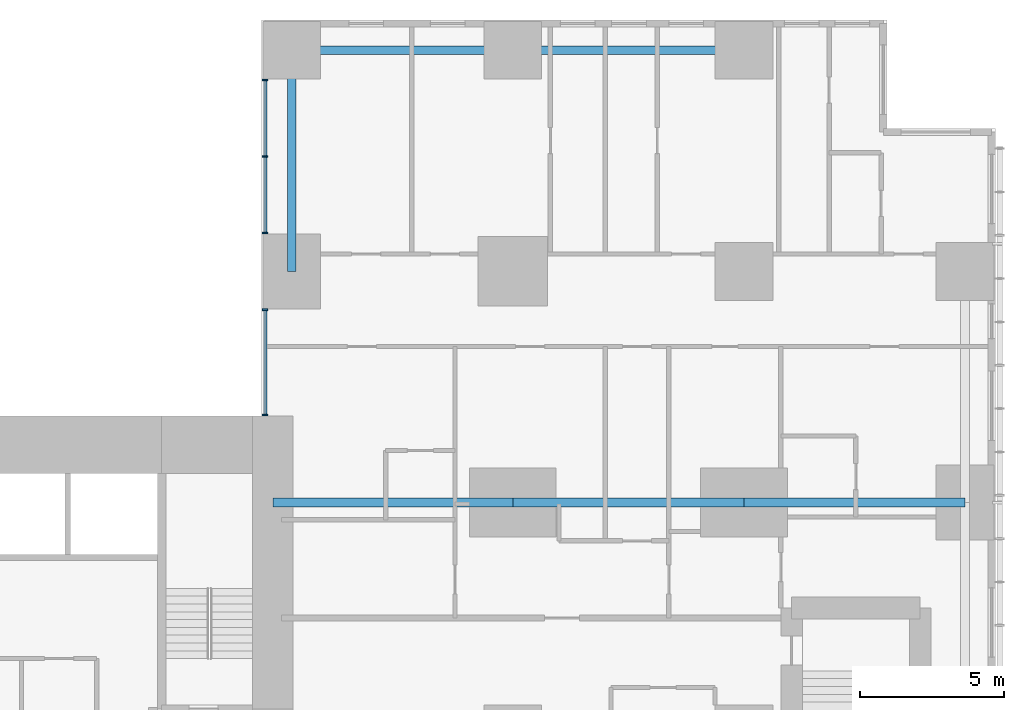
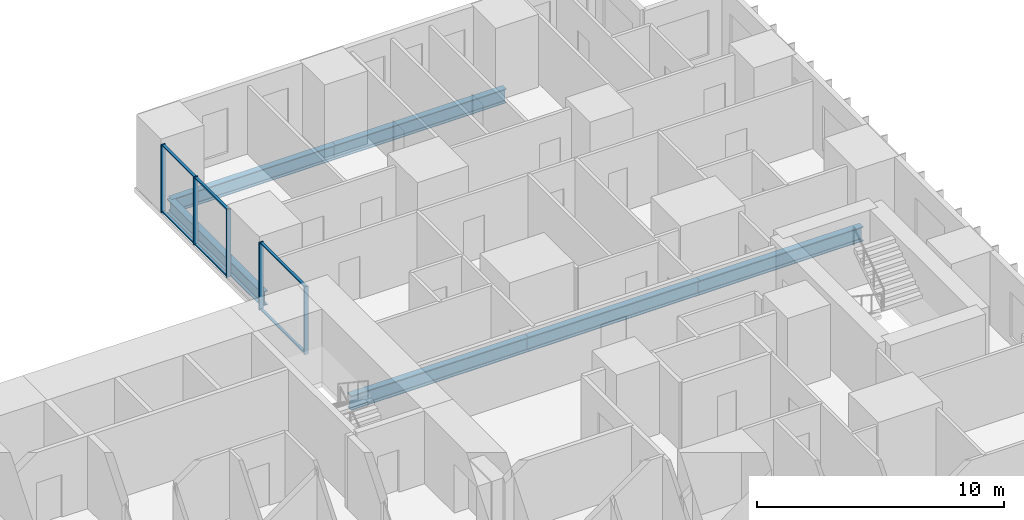
# One storey, part 5 of 21: 11 members, 6 beams, 2 elements without a shape of their own.
"""IFC4 building model written with IfcOpenShell, lengths in metres."""

import ifcopenshell
import ifcopenshell.guid

model = None  # the IFC model being written
_history = None  # IfcOwnerHistory: only IFC2X3 demands one
_inside = {}  # id of a spatial element -> (the spatial element, [elements in it])
_under = {}  # id of a project, library or spatial element -> (it, [spatial elements below it])
_declared = {}  # id of a project -> (the project, [libraries it declares])
_typed = {}  # id of a type object -> (the type object, [elements of that type])
_made_of = {}  # id of a material, layer set ... -> (it, [elements and type objects made of it])


def new_model(schema):
    """Start an empty IFC model of exactly this schema.

    Asked for "IFC4X3", IfcOpenShell would pick the latest addendum, in which some entities
    have other attributes; the version numbers below select the first issue.
    IFC2X3 requires an IfcOwnerHistory on every rooted entity: one is made here for all.
    """
    global model, _history
    if schema == "IFC4X3":
        model = ifcopenshell.file(schema_version=(4, 3, 0, 0))
    else:
        model = ifcopenshell.file(schema=schema)
    _inside.clear()
    _under.clear()
    _declared.clear()
    _typed.clear()
    _made_of.clear()
    _history = None
    if model.schema == "IFC2X3":
        org = make("IfcOrganization", Name="unknown")
        user = make(
            "IfcPersonAndOrganization",
            ThePerson=make("IfcPerson", FamilyName="unknown"),
            TheOrganization=org,
        )
        app = make(
            "IfcApplication",
            ApplicationDeveloper=org,
            Version="unknown",
            ApplicationFullName="unknown",
            ApplicationIdentifier="unknown",
        )
        _history = make(
            "IfcOwnerHistory",
            OwningUser=user,
            OwningApplication=app,
            ChangeAction="ADDED",
            CreationDate=0,
        )
    return model


def make(cls, **values):
    """One entity of the class cls with the attributes given. An attribute that is None is left unset."""
    return model.create_entity(
        cls, **{name: value for name, value in values.items() if value is not None}
    )


def rooted(cls, **values):
    """An entity with a GlobalId (a new one), such as an element, a storey or a relation."""
    return make(cls, GlobalId=ifcopenshell.guid.new(), OwnerHistory=_history, **values)


def si_unit(unit_type, name, prefix=None):
    """IfcSIUnit, for example si_unit("LENGTHUNIT", "METRE", prefix="MILLI")."""
    return make("IfcSIUnit", UnitType=unit_type, Prefix=prefix, Name=name)


def assignment(units):
    """IfcUnitAssignment: the units of a project."""
    return None if units is None else make("IfcUnitAssignment", Units=units)


def point(xyz):
    """IfcCartesianPoint."""
    return None if xyz is None else make("IfcCartesianPoint", Coordinates=xyz)


def direction(xyz):
    """IfcDirection."""
    return None if xyz is None else make("IfcDirection", DirectionRatios=xyz)


def frame(location, z_axis=None, x_axis=None):
    """IfcAxis2Placement3D, a coordinate frame: its origin and axes. An axis left out is left unset."""
    return make(
        "IfcAxis2Placement3D",
        Location=point(location),
        Axis=direction(z_axis),
        RefDirection=direction(x_axis),
    )


def frame_2d(location, x_axis=None):
    """IfcAxis2Placement2D, a coordinate frame in the plane: its origin and x axis."""
    return make(
        "IfcAxis2Placement2D", Location=point(location), RefDirection=direction(x_axis)
    )


def origin():
    """The frame at (0, 0, 0) with its axes left unset."""
    return frame((0.0, 0.0, 0.0))


def origin_2d():
    """The frame at (0, 0) in the plane with its x axis left unset."""
    return frame_2d((0.0, 0.0))


def place(relative_to, where):
    """IfcLocalPlacement: puts the frame where relative to a parent placement (None: the world)."""
    return make(
        "IfcLocalPlacement", PlacementRelTo=relative_to, RelativePlacement=where
    )


def context(
    kind, dimensions, precision=None, world=None, true_north=None, identifier=None
):
    """IfcGeometricRepresentationContext, for example the 3D "Model" context."""
    return make(
        "IfcGeometricRepresentationContext",
        ContextIdentifier=identifier,
        ContextType=kind,
        CoordinateSpaceDimension=dimensions,
        Precision=precision,
        WorldCoordinateSystem=world,
        TrueNorth=true_north,
    )


def subcontext(parent, identifier, kind, view, scale=None):
    """IfcGeometricRepresentationSubContext, for example "Body" below "Model"."""
    return make(
        "IfcGeometricRepresentationSubContext",
        ContextIdentifier=identifier,
        ContextType=kind,
        ParentContext=parent,
        TargetScale=scale,
        TargetView=view,
    )


def project(units=None, contexts=None):
    """IfcProject with its units and contexts."""
    return rooted(
        "IfcProject",
        Name="project",
        RepresentationContexts=contexts,
        UnitsInContext=assignment(units),
    )


def spatial(cls, under=None, at=None, **own):
    """A site, building, storey or space (cls), placed at a placement, below another one or the project."""
    s = rooted(cls, ObjectPlacement=at, **own)
    if under is not None:
        _under.setdefault(under.id(), (under, []))[1].append(s)
    return s


def profile(cls, at=None, kind="AREA", **sizes):
    """A parametric profile (cls). Its sizes go by their IFC names, for example OverallWidth=200.0."""
    return make(cls, ProfileType=kind, Position=at, **sizes)


def rectangle(**sizes):
    """IfcRectangleProfileDef."""
    return profile("IfcRectangleProfileDef", **sizes)


def i_section(**sizes):
    """IfcIShapeProfileDef."""
    return profile("IfcIShapeProfileDef", **sizes)


def extrude(swept, where, along, depth):
    """IfcExtrudedAreaSolid: the profile swept, set in the frame where, extruded along a direction by depth."""
    return make(
        "IfcExtrudedAreaSolid",
        SweptArea=swept,
        Position=where,
        ExtrudedDirection=direction(along),
        Depth=depth,
    )


def shape(context_of_items, identifier, shape_type, items):
    """IfcShapeRepresentation: the items that make up one representation, for example the "Body"."""
    return make(
        "IfcShapeRepresentation",
        ContextOfItems=context_of_items,
        RepresentationIdentifier=identifier,
        RepresentationType=shape_type,
        Items=items,
    )


def material(Name=None, Category=None):
    """IfcMaterial."""
    return make("IfcMaterial", Name=Name, Category=Category)


def layer(
    of_material, thickness, ventilated=None, Name=None, Category=None, Priority=None
):
    """IfcMaterialLayer: one layer of a wall or slab, of a material (None: an air gap)."""
    return make(
        "IfcMaterialLayer",
        Material=of_material,
        LayerThickness=thickness,
        IsVentilated=ventilated,
        Name=Name,
        Category=Category,
        Priority=Priority,
    )


def layer_set(layers, Name=None):
    """IfcMaterialLayerSet."""
    return make("IfcMaterialLayerSet", MaterialLayers=layers, LayerSetName=Name)


def material_profile(
    of_material, cross_section, Name=None, Category=None, Priority=None
):
    """IfcMaterialProfile: a cross section and its material."""
    return make(
        "IfcMaterialProfile",
        Name=Name,
        Material=of_material,
        Profile=cross_section,
        Priority=Priority,
        Category=Category,
    )


def profile_set(profiles, Name=None, composite=None):
    """IfcMaterialProfileSet."""
    return make(
        "IfcMaterialProfileSet",
        Name=Name,
        MaterialProfiles=profiles,
        CompositeProfile=composite,
    )


def made_of(thing, what):
    """Note that an element or type object is made of a material, layer set ...; save() writes the relation."""
    if what is not None:
        _made_of.setdefault(what.id(), (what, []))[1].append(thing)
    return thing


def type_object(cls, material=None, **own):
    """A type object (cls), such as IfcWallType, which elements share."""
    return made_of(rooted(cls, **own), material)


def element(
    cls,
    number,
    at=None,
    inside=None,
    cuts=None,
    type_object=None,
    material=None,
    context=None,
    identifier="Body",
    shape_type=None,
    held_by="IfcProductDefinitionShape",
    body=None,
    shapes=None,
    **own,
):
    """One element of the class cls, such as IfcWall. Its Tag is "e" and its number.

    at: its placement. inside: the storey or other place that contains it. cuts: it is an
    opening in that element (IfcRelVoidsElement). A single representation is given by context,
    identifier, shape_type and body (its items); several are given by shapes. held_by: the class
    of the entity that holds the representations. save() writes the other relations.
    """
    e = rooted(cls, Tag="e%d" % number, ObjectPlacement=at, **own)
    if body is not None:
        shapes = [shape(context, identifier, shape_type, body)]
    if shapes is not None:
        e.Representation = make(held_by, Representations=shapes)
    if inside is not None:
        _inside.setdefault(inside.id(), (inside, []))[1].append(e)
    if cuts is not None:
        rooted(
            "IfcRelVoidsElement", RelatingBuildingElement=cuts, RelatedOpeningElement=e
        )
    if type_object is not None:
        _typed.setdefault(type_object.id(), (type_object, []))[1].append(e)
    return made_of(e, material)


def aggregate(whole, parts):
    """IfcRelAggregates: a whole, such as a stair, and the parts it consists of."""
    return rooted("IfcRelAggregates", RelatingObject=whole, RelatedObjects=parts)


def save(model, path):
    """Write the relations noted so far, then the file.

    IfcRelAggregates (storeys below a building ...), IfcRelContainedInSpatialStructure (elements
    in a storey), IfcRelDefinesByType, IfcRelAssociatesMaterial and IfcRelDeclares: one each for
    every whole, place, type object, material and project.
    """
    for whole, parts in _under.values():
        aggregate(whole, parts)
    for where, things in _inside.values():
        rooted(
            "IfcRelContainedInSpatialStructure",
            RelatedElements=things,
            RelatingStructure=where,
        )
    for kind, things in _typed.values():
        rooted("IfcRelDefinesByType", RelatedObjects=things, RelatingType=kind)
    for what, things in _made_of.values():
        rooted("IfcRelAssociatesMaterial", RelatedObjects=things, RelatingMaterial=what)
    for by, libraries in _declared.values():
        rooted("IfcRelDeclares", RelatingContext=by, RelatedDefinitions=libraries)
    model.write(path)


model = new_model("IFC4")

# Units and contexts
model_context = context("Model", 3, precision=1e-05, world=origin(), true_north=direction((0.0, 1.0)))
body_context = subcontext(model_context, "Body", "Model", "MODEL_VIEW")
ifc_project = project(units=[si_unit("LENGTHUNIT", "METRE"), si_unit("AREAUNIT", "SQUARE_METRE"), si_unit("VOLUMEUNIT", "CUBIC_METRE"), si_unit("PLANEANGLEUNIT", "RADIAN"), si_unit("MASSUNIT", "GRAM", prefix="KILO")], contexts=[model_context])

# Site, building, storey
site_placement = place(None, origin())
site = spatial("IfcSite", under=ifc_project, at=site_placement, CompositionType="ELEMENT")
building_placement = place(site_placement, origin())
building = spatial("IfcBuilding", under=site, at=building_placement, Name="Cleftline Residences", CompositionType="ELEMENT")
storey_placement = place(building_placement, frame((0.0, 0.0, 161.0)))
storey = spatial("IfcBuildingStorey", under=building, at=storey_placement, Name="L42", CompositionType="ELEMENT", Elevation=161.0)

# Beams
ifc_material_1 = material(Name="Steel S355", Category="steel")
ifc_material_profile_1 = material_profile(ifc_material_1, i_section(OverallWidth=0.300048828125, OverallDepth=0.699951171875, WebThickness=0.01708984375, FlangeThickness=0.031982421875, FilletRadius=0.027099609375, at=origin_2d()))
ifc_profile_set_1 = profile_set([ifc_material_profile_1], Name="Steel S355")
beam_type_1 = type_object("IfcBeamType", Name="BEAM HEB 700", PredefinedType="BEAM", material=ifc_profile_set_1)
beam_1_placement = place(storey_placement, frame((58.0, 47.64990234375, -0.60009765625), z_axis=(-1.0, 0.0, 0.0), x_axis=(0.0, -1.0, 0.0)))
element("IfcBeam", 1, at=beam_1_placement, inside=storey, type_object=beam_type_1, Name="Edge beam", PredefinedType="BEAM", context=body_context, shape_type="SweptSolid", body=[
    extrude(i_section(OverallWidth=0.300048828125, OverallDepth=0.699951171875, WebThickness=0.01708984375, FlangeThickness=0.031982421875, FilletRadius=0.027099609375, at=origin_2d()), origin(), (0.0, 0.0, 1.0), 8.0),
])
for number, where, z_axis, x_axis, name in (
    (2, (50.0, 47.64990234375, -0.60009765625), (-1.0, 0.0, 0.0), (0.0, -1.0, 0.0), "Edge beam"),
    (3, (42.35009765625, 47.64990234375, -0.60009765625), (0.0, -1.0, 0.0), (1.0, 0.0, 0.0), "Edge beam"),
):
    element("IfcBeam", number, at=place(storey_placement, frame(where, z_axis=z_axis, x_axis=x_axis)), inside=storey, type_object=beam_type_1, Name=name, PredefinedType="BEAM", context=body_context, shape_type="SweptSolid", body=[
        extrude(i_section(OverallWidth=0.300048828125, OverallDepth=0.699951171875, WebThickness=0.01708984375, FlangeThickness=0.031982421875, FilletRadius=0.027099609375, at=origin_2d()), origin(), (0.0, 0.0, 1.0), 7.64990234375),
    ])
ifc_material_2 = material(Name="Steel S355", Category="steel")
ifc_material_profile_2 = material_profile(ifc_material_2, i_section(OverallWidth=0.303955078125, OverallDepth=0.716064453125, WebThickness=0.02099609375, FlangeThickness=0.0400390625, FilletRadius=0.027099609375, at=origin_2d()))
ifc_profile_set_2 = profile_set([ifc_material_profile_2], Name="Steel S355")
beam_type_2 = type_object("IfcBeamType", Name="BEAM HEM 700", PredefinedType="BEAM", material=ifc_profile_set_2)
beam_2_placement = place(storey_placement, frame((65.64990234375, 32.0, -0.60791015625), z_axis=(-1.0, 0.0, 0.0), x_axis=(0.0, -1.0, 0.0)))
element("IfcBeam", 4, at=beam_2_placement, inside=storey, type_object=beam_type_2, Name="Band beam", PredefinedType="BEAM", context=body_context, shape_type="SweptSolid", body=[
    extrude(i_section(OverallWidth=0.303955078125, OverallDepth=0.716064453125, WebThickness=0.02099609375, FlangeThickness=0.0400390625, FilletRadius=0.027099609375, at=origin_2d()), origin(), (0.0, 0.0, 1.0), 7.64990234375),
])
beam_3_placement = place(storey_placement, frame((58.0, 32.0, -0.60791015625), z_axis=(-1.0, 0.0, 0.0), x_axis=(0.0, -1.0, 0.0)))
element("IfcBeam", 5, at=beam_3_placement, inside=storey, type_object=beam_type_2, Name="Band beam", PredefinedType="BEAM", context=body_context, shape_type="SweptSolid", body=[
    extrude(i_section(OverallWidth=0.303955078125, OverallDepth=0.716064453125, WebThickness=0.02099609375, FlangeThickness=0.0400390625, FilletRadius=0.027099609375, at=origin_2d()), origin(), (0.0, 0.0, 1.0), 8.0),
])
beam_4_placement = place(storey_placement, frame((50.0, 32.0, -0.60791015625), z_axis=(-1.0, 0.0, 0.0), x_axis=(0.0, -1.0, 0.0)))
element("IfcBeam", 6, at=beam_4_placement, inside=storey, type_object=beam_type_2, Name="Band beam", PredefinedType="BEAM", context=body_context, shape_type="SweptSolid", body=[
    extrude(i_section(OverallWidth=0.303955078125, OverallDepth=0.716064453125, WebThickness=0.02099609375, FlangeThickness=0.0400390625, FilletRadius=0.027099609375, at=origin_2d()), origin(), (0.0, 0.0, 1.0), 8.300048828125),
])

# Curtain wall, members
ifc_material_3 = material(Name="Aluminium framed curtain wall", Category="aluminium")
ifc_layer = layer(ifc_material_3, 0.199951171875)
ifc_layer_set = layer_set([ifc_layer], Name="CW1 CLEFT GLAZING")
curtain_wall_type = type_object("IfcCurtainWallType", Name="CW1 CLEFT GLAZING", PredefinedType="NOTDEFINED", material=ifc_layer_set)
curtain_wall_1_placement = place(storey_placement, origin())
curtain_wall_1 = element("IfcCurtainWall", 7, at=curtain_wall_1_placement, inside=storey, type_object=curtain_wall_type, Name="Curtain wall CW1", PredefinedType="NOTDEFINED")
ifc_material_4 = material(Name="Aluminium mullion", Category="aluminium")
ifc_material_profile_3 = material_profile(ifc_material_4, rectangle(XDim=0.199951171875, YDim=0.06005859375, at=origin_2d()))
ifc_profile_set_3 = profile_set([ifc_material_profile_3], Name="Aluminium mullion")
member_type_1 = type_object("IfcMemberType", Name="CW1 MULLION", PredefinedType="MULLION", material=ifc_profile_set_3)
member_1_placement = place(storey_placement, frame((41.425048828125, 46.6201171875, 0.0), z_axis=(0.0, 0.0, 1.0), x_axis=(1.0, 0.0, 0.0)))
member_1 = element("IfcMember", 8, at=member_1_placement, type_object=member_type_1, Name="CW1 mullion 1", PredefinedType="MULLION", context=body_context, shape_type="SweptSolid", body=[
    extrude(rectangle(XDim=0.199951171875, YDim=0.06005859375, at=origin_2d()), origin(), (0.0, 0.0, 1.0), 3.35009765625),
])
member_2_placement = place(storey_placement, frame((41.425048828125, 43.97509765625, 0.0), z_axis=(0.0, 0.0, 1.0), x_axis=(1.0, 0.0, 0.0)))
member_2 = element("IfcMember", 9, at=member_2_placement, type_object=member_type_1, Name="CW1 mullion 2", PredefinedType="MULLION", context=body_context, shape_type="SweptSolid", body=[
    extrude(rectangle(XDim=0.199951171875, YDim=0.06005859375, at=origin_2d()), origin(), (0.0, 0.0, 1.0), 3.35009765625),
])
member_3_placement = place(storey_placement, frame((41.425048828125, 41.330078125, 0.0), z_axis=(0.0, 0.0, 1.0), x_axis=(1.0, 0.0, 0.0)))
member_3 = element("IfcMember", 10, at=member_3_placement, type_object=member_type_1, Name="CW1 mullion 3", PredefinedType="MULLION", context=body_context, shape_type="SweptSolid", body=[
    extrude(rectangle(XDim=0.199951171875, YDim=0.06005859375, at=origin_2d()), origin(), (0.0, 0.0, 1.0), 3.35009765625),
])

curtain_wall_2_placement = place(storey_placement, origin())
curtain_wall_2 = element("IfcCurtainWall", 11, at=curtain_wall_2_placement, inside=storey, type_object=curtain_wall_type, Name="Curtain wall CW1", PredefinedType="NOTDEFINED")
member_4_placement = place(storey_placement, frame((41.425048828125, 38.669921875, 0.0), z_axis=(0.0, 0.0, 1.0), x_axis=(1.0, 0.0, 0.0)))
member_4 = element("IfcMember", 12, at=member_4_placement, type_object=member_type_1, Name="CW1 mullion 1", PredefinedType="MULLION", context=body_context, shape_type="SweptSolid", body=[
    extrude(rectangle(XDim=0.199951171875, YDim=0.06005859375, at=origin_2d()), origin(), (0.0, 0.0, 1.0), 3.35009765625),
])
member_5_placement = place(storey_placement, frame((41.425048828125, 35.030029296875, 0.0), z_axis=(0.0, 0.0, 1.0), x_axis=(1.0, 0.0, 0.0)))
member_5 = element("IfcMember", 13, at=member_5_placement, type_object=member_type_1, Name="CW1 mullion 2", PredefinedType="MULLION", context=body_context, shape_type="SweptSolid", body=[
    extrude(rectangle(XDim=0.199951171875, YDim=0.06005859375, at=origin_2d()), origin(), (0.0, 0.0, 1.0), 3.35009765625),
])

# Member
ifc_material_5 = material(Name="Aluminium transom", Category="aluminium")
ifc_material_profile_4 = material_profile(ifc_material_5, rectangle(XDim=0.1201171875, YDim=0.06005859375, at=origin_2d()))
ifc_profile_set_4 = profile_set([ifc_material_profile_4], Name="Aluminium transom")
member_type_2 = type_object("IfcMemberType", Name="CW1 TRANSOM", PredefinedType="USERDEFINED", material=ifc_profile_set_4)
member_6_placement = place(storey_placement, frame((41.425048828125, 46.590087890625, 0.030029296875), z_axis=(0.0, -1.0, 0.0), x_axis=(1.0, 0.0, 0.0)))
member_6 = element("IfcMember", 14, at=member_6_placement, type_object=member_type_2, Name="CW1 transom 1.1", ObjectType="TRANSOM", PredefinedType="USERDEFINED", context=body_context, shape_type="SweptSolid", body=[
    extrude(rectangle(XDim=0.1201171875, YDim=0.06005859375, at=origin_2d()), origin(), (0.0, 0.0, 1.0), 2.585205078125),
])

member_7_placement = place(storey_placement, frame((41.425048828125, 46.590087890625, 3.320068359375), z_axis=(0.0, -1.0, 0.0), x_axis=(1.0, 0.0, 0.0)))
member_7 = element("IfcMember", 15, at=member_7_placement, type_object=member_type_2, Name="CW1 transom 1.2", ObjectType="TRANSOM", PredefinedType="USERDEFINED", context=body_context, shape_type="SweptSolid", body=[
    extrude(rectangle(XDim=0.1201171875, YDim=0.06005859375, at=origin_2d()), origin(), (0.0, 0.0, 1.0), 2.585205078125),
])

member_8_placement = place(storey_placement, frame((41.425048828125, 43.945068359375, 0.030029296875), z_axis=(0.0, -1.0, 0.0), x_axis=(1.0, 0.0, 0.0)))
member_8 = element("IfcMember", 16, at=member_8_placement, type_object=member_type_2, Name="CW1 transom 2.1", ObjectType="TRANSOM", PredefinedType="USERDEFINED", context=body_context, shape_type="SweptSolid", body=[
    extrude(rectangle(XDim=0.1201171875, YDim=0.06005859375, at=origin_2d()), origin(), (0.0, 0.0, 1.0), 2.5849609375),
])

member_9_placement = place(storey_placement, frame((41.425048828125, 43.945068359375, 3.320068359375), z_axis=(0.0, -1.0, 0.0), x_axis=(1.0, 0.0, 0.0)))
member_9 = element("IfcMember", 17, at=member_9_placement, type_object=member_type_2, Name="CW1 transom 2.2", ObjectType="TRANSOM", PredefinedType="USERDEFINED", context=body_context, shape_type="SweptSolid", body=[
    extrude(rectangle(XDim=0.1201171875, YDim=0.06005859375, at=origin_2d()), origin(), (0.0, 0.0, 1.0), 2.5849609375),
])

aggregate(curtain_wall_1, [member_1, member_2, member_3, member_6, member_7, member_8, member_9])

member_10_placement = place(storey_placement, frame((41.425048828125, 38.639892578125, 0.030029296875), z_axis=(0.0, -1.0, 0.0), x_axis=(1.0, 0.0, 0.0)))
member_10 = element("IfcMember", 18, at=member_10_placement, type_object=member_type_2, Name="CW1 transom 1.1", ObjectType="TRANSOM", PredefinedType="USERDEFINED", context=body_context, shape_type="SweptSolid", body=[
    extrude(rectangle(XDim=0.1201171875, YDim=0.06005859375, at=origin_2d()), origin(), (0.0, 0.0, 1.0), 3.579833984375),
])

member_11_placement = place(storey_placement, frame((41.425048828125, 38.639892578125, 3.320068359375), z_axis=(0.0, -1.0, 0.0), x_axis=(1.0, 0.0, 0.0)))
member_11 = element("IfcMember", 19, at=member_11_placement, type_object=member_type_2, Name="CW1 transom 1.2", ObjectType="TRANSOM", PredefinedType="USERDEFINED", context=body_context, shape_type="SweptSolid", body=[
    extrude(rectangle(XDim=0.1201171875, YDim=0.06005859375, at=origin_2d()), origin(), (0.0, 0.0, 1.0), 3.579833984375),
])

aggregate(curtain_wall_2, [member_4, member_5, member_10, member_11])

save(model, "model.ifc")
